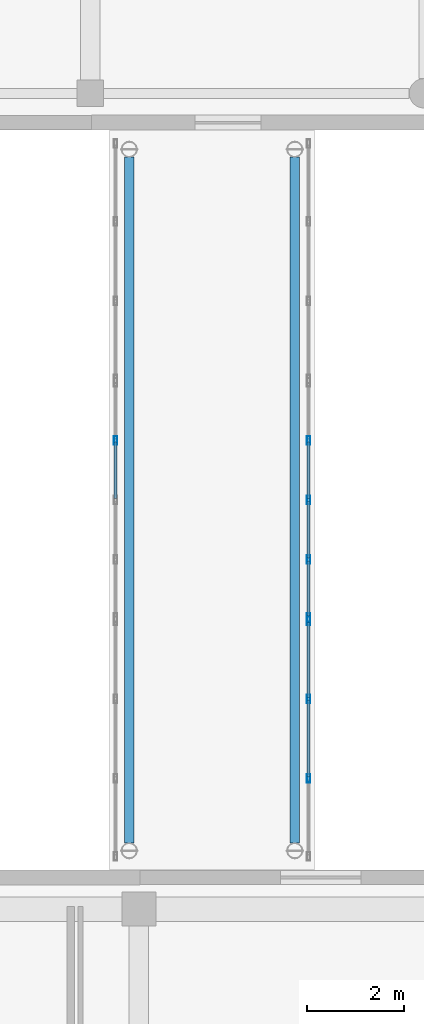
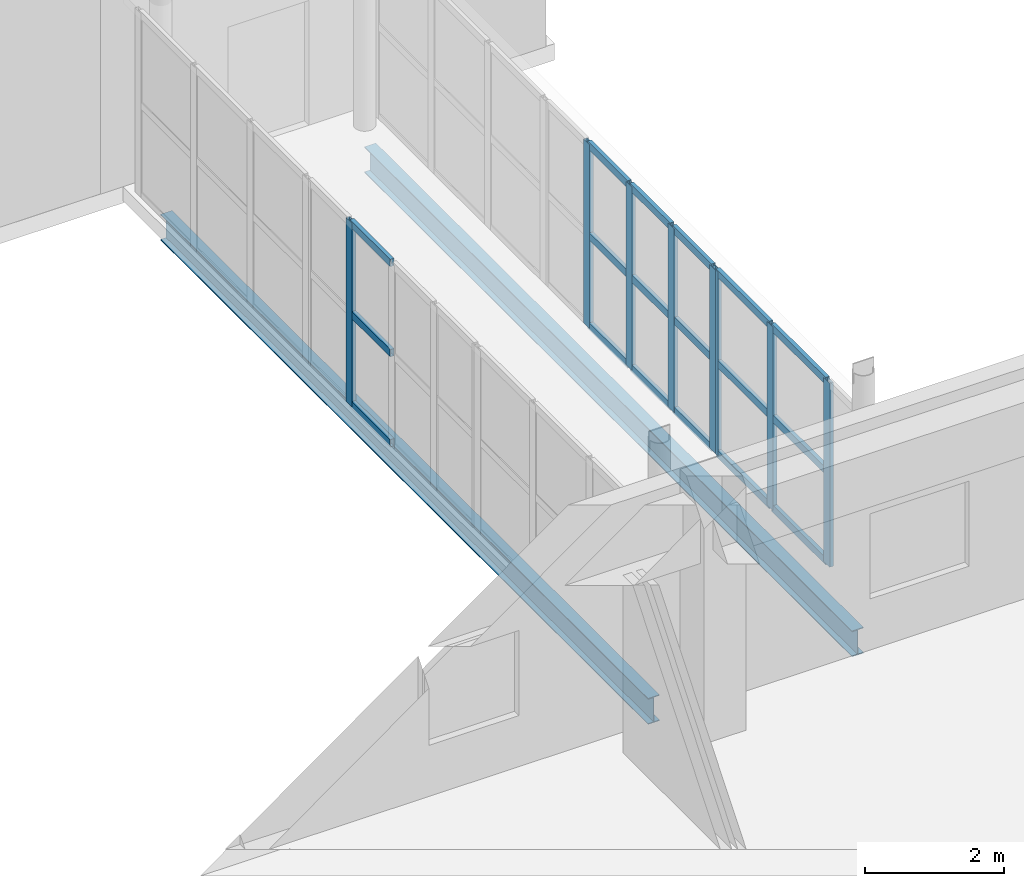
# One storey, part 21 of 142: 26 members, 2 beams, 3 elements without a shape of their own.
"""IFC4 building model written with IfcOpenShell, lengths in metres."""

from ifc_helpers import new_model, si_unit, direction, frame, origin, origin_2d, place, context, subcontext, project, spatial, hollow_rectangle, i_section, extrude, material, layer, layer_set, material_profile, profile_set, type_object, element, aggregate, save


model = new_model("IFC4")

# Units and contexts
model_context = context("Model", 3, precision=1e-05, world=origin(), true_north=direction((0.0, 1.0)))
body_context = subcontext(model_context, "Body", "Model", "MODEL_VIEW")
ifc_project = project(units=[si_unit("LENGTHUNIT", "METRE"), si_unit("AREAUNIT", "SQUARE_METRE"), si_unit("VOLUMEUNIT", "CUBIC_METRE"), si_unit("PLANEANGLEUNIT", "RADIAN"), si_unit("MASSUNIT", "GRAM", prefix="KILO")], contexts=[model_context])

# Site, building, storey
site_placement = place(None, origin())
site = spatial("IfcSite", under=ifc_project, at=site_placement, CompositionType="ELEMENT")
building_placement = place(site_placement, origin())
building = spatial("IfcBuilding", under=site, at=building_placement, Name="Valcora Specialist Clinic", CompositionType="ELEMENT")
storey_placement = place(building_placement, frame((0.0, 0.0, 5.10009765625)))
storey = spatial("IfcBuildingStorey", under=building, at=storey_placement, Name="L01", CompositionType="ELEMENT", Elevation=5.10009765625)

# Beams
ifc_material_1 = material(Name="Steel ASTM A992 Grade 50", Category="steel")
ifc_material_profile_1 = material_profile(ifc_material_1, i_section(OverallWidth=0.18994140625, OverallDepth=0.45703125, WebThickness=0.009033203125, FlangeThickness=0.014892578125, at=origin_2d()), Name="ST-IR-460X190")
ifc_profile_set_1 = profile_set([ifc_material_profile_1], Name="Steel ASTM A992 Grade 50")
beam_type = type_object("IfcBeamType", Name="TY-BG-IR460", PredefinedType="HOLLOWCORE", material=ifc_profile_set_1)
for number, where, z_axis, x_axis, name in (
    (1, (23.199951171875, 23.360107421875, -0.482666015625), (0.0, 1.0, 0.0), (-1.0, 0.0, 0.0), "Bridge girder BM-L01-1616"),
    (2, (26.60009765625, 23.360107421875, -0.482666015625), (0.0, 1.0, 0.0), (-1.0, 0.0, 0.0), "Bridge girder BM-L01-1617"),
):
    element("IfcBeam", number, at=place(storey_placement, frame(where, z_axis=z_axis, x_axis=x_axis)), inside=storey, type_object=beam_type, Name=name, PredefinedType="HOLLOWCORE", context=body_context, shape_type="SweptSolid", body=[
        extrude(i_section(OverallWidth=0.18994140625, OverallDepth=0.45703125, WebThickness=0.009033203125, FlangeThickness=0.014892578125, at=origin_2d()), origin(), (0.0, 0.0, 1.0), 14.079833984375),
    ])

# Curtain wall, member
ifc_material_2 = material(Name="Anodized Bronze Aluminium 6063-T6", Category="aluminium")
ifc_layer = layer(ifc_material_2, 0.175048828125)
ifc_layer_set = layer_set([ifc_layer], Name="Anodized Bronze Aluminium 6063-T6")
curtain_wall_type = type_object("IfcCurtainWallType", Name="TY-CW-BRG14", PredefinedType="NOTDEFINED", material=ifc_layer_set)
curtain_wall_1_placement = place(storey_placement, origin())
curtain_wall_1 = element("IfcCurtainWall", 3, at=curtain_wall_1_placement, inside=storey, type_object=curtain_wall_type, Name="Curtain wall CW-L01-226", PredefinedType="NOTDEFINED")
ifc_material_profile_2 = material_profile(ifc_material_2, hollow_rectangle(XDim=0.06494140625, YDim=0.175048828125, WallThickness=0.00390625, at=origin_2d()), Name="AL-MUL-65X175")
ifc_profile_set_2 = profile_set([ifc_material_profile_2], Name="Anodized Bronze Aluminium 6063-T6")
member_type_1 = type_object("IfcMemberType", Name="TY-CWM-65X175", PredefinedType="MULLION", material=ifc_profile_set_2)
member_1_placement = place(storey_placement, frame((22.919921875, 31.625, 0.0), z_axis=(0.0, 0.0, 1.0), x_axis=(-1.0, 0.0, 0.0)))
member_1 = element("IfcMember", 4, at=member_1_placement, type_object=member_type_1, Name="CW-BRG-14 mullion 4", PredefinedType="MULLION", context=body_context, shape_type="SweptSolid", body=[
    extrude(hollow_rectangle(XDim=0.06494140625, YDim=0.175048828125, WallThickness=0.00390625, at=origin_2d()), origin(), (0.0, 0.0, 1.0), 3.239990234375),
])

# Curtain wall, members
curtain_wall_2_placement = place(storey_placement, origin())
curtain_wall_2 = element("IfcCurtainWall", 5, at=curtain_wall_2_placement, inside=storey, type_object=curtain_wall_type, Name="Curtain wall CW-L01-228", PredefinedType="NOTDEFINED")
member_2_placement = place(storey_placement, frame((26.8798828125, 24.683349609375, 0.0), z_axis=(0.0, 0.0, 1.0), x_axis=(-1.0, 0.0, 0.0)))
member_2 = element("IfcMember", 6, at=member_2_placement, type_object=member_type_1, Name="CW-BRG-14 mullion 2", PredefinedType="MULLION", context=body_context, shape_type="SweptSolid", body=[
    extrude(hollow_rectangle(XDim=0.06494140625, YDim=0.175048828125, WallThickness=0.00390625, at=origin_2d()), origin(), (0.0, 0.0, 1.0), 3.239990234375),
])
member_3_placement = place(storey_placement, frame((26.8798828125, 26.316650390625, 0.0), z_axis=(0.0, 0.0, 1.0), x_axis=(-1.0, 0.0, 0.0)))
member_3 = element("IfcMember", 7, at=member_3_placement, type_object=member_type_1, Name="CW-BRG-14 mullion 3", PredefinedType="MULLION", context=body_context, shape_type="SweptSolid", body=[
    extrude(hollow_rectangle(XDim=0.06494140625, YDim=0.175048828125, WallThickness=0.00390625, at=origin_2d()), origin(), (0.0, 0.0, 1.0), 3.239990234375),
])
member_4_placement = place(storey_placement, frame((26.8798828125, 27.91748046875, 0.0), z_axis=(0.0, 0.0, 1.0), x_axis=(-1.0, 0.0, 0.0)))
member_4 = element("IfcMember", 8, at=member_4_placement, type_object=member_type_1, Name="CW-BRG-14 mullion 4", PredefinedType="MULLION", context=body_context, shape_type="SweptSolid", body=[
    extrude(hollow_rectangle(XDim=0.06494140625, YDim=0.175048828125, WallThickness=0.00390625, at=origin_2d()), origin(), (0.0, 0.0, 1.0), 3.239990234375),
])

curtain_wall_3_placement = place(storey_placement, origin())
curtain_wall_3 = element("IfcCurtainWall", 9, at=curtain_wall_3_placement, inside=storey, type_object=curtain_wall_type, Name="Curtain wall CW-L01-229", PredefinedType="NOTDEFINED")
member_5_placement = place(storey_placement, frame((26.8798828125, 27.982421875, 0.0), z_axis=(0.0, 0.0, 1.0), x_axis=(-1.0, 0.0, 0.0)))
member_5 = element("IfcMember", 10, at=member_5_placement, type_object=member_type_1, Name="CW-BRG-14 mullion 1", PredefinedType="MULLION", context=body_context, shape_type="SweptSolid", body=[
    extrude(hollow_rectangle(XDim=0.06494140625, YDim=0.175048828125, WallThickness=0.00390625, at=origin_2d()), origin(), (0.0, 0.0, 1.0), 3.239990234375),
])
member_6_placement = place(storey_placement, frame((26.8798828125, 29.175048828125, 0.0), z_axis=(0.0, 0.0, 1.0), x_axis=(-1.0, 0.0, 0.0)))
member_6 = element("IfcMember", 11, at=member_6_placement, type_object=member_type_1, Name="CW-BRG-14 mullion 2", PredefinedType="MULLION", context=body_context, shape_type="SweptSolid", body=[
    extrude(hollow_rectangle(XDim=0.06494140625, YDim=0.175048828125, WallThickness=0.00390625, at=origin_2d()), origin(), (0.0, 0.0, 1.0), 3.239990234375),
])
member_7_placement = place(storey_placement, frame((26.8798828125, 30.39990234375, 0.0), z_axis=(0.0, 0.0, 1.0), x_axis=(-1.0, 0.0, 0.0)))
member_7 = element("IfcMember", 12, at=member_7_placement, type_object=member_type_1, Name="CW-BRG-14 mullion 3", PredefinedType="MULLION", context=body_context, shape_type="SweptSolid", body=[
    extrude(hollow_rectangle(XDim=0.06494140625, YDim=0.175048828125, WallThickness=0.00390625, at=origin_2d()), origin(), (0.0, 0.0, 1.0), 3.239990234375),
])
member_8_placement = place(storey_placement, frame((26.8798828125, 31.625, 0.0), z_axis=(0.0, 0.0, 1.0), x_axis=(-1.0, 0.0, 0.0)))
member_8 = element("IfcMember", 13, at=member_8_placement, type_object=member_type_1, Name="CW-BRG-14 mullion 4", PredefinedType="MULLION", context=body_context, shape_type="SweptSolid", body=[
    extrude(hollow_rectangle(XDim=0.06494140625, YDim=0.175048828125, WallThickness=0.00390625, at=origin_2d()), origin(), (0.0, 0.0, 1.0), 3.239990234375),
])

# Member
ifc_material_profile_3 = material_profile(ifc_material_2, hollow_rectangle(XDim=0.06494140625, YDim=0.1298828125, WallThickness=0.00390625, at=origin_2d()), Name="AL-TRN-65X130")
ifc_profile_set_3 = profile_set([ifc_material_profile_3], Name="Anodized Bronze Aluminium 6063-T6")
member_type_2 = type_object("IfcMemberType", Name="TY-CWT-65X130", PredefinedType="USERDEFINED", material=ifc_profile_set_3)
member_9_placement = place(storey_placement, frame((22.919921875, 30.4326171875, 0.032470703125), z_axis=(0.0, 1.0, 0.0), x_axis=(-1.0, 0.0, 0.0)))
member_9 = element("IfcMember", 14, at=member_9_placement, type_object=member_type_2, Name="CW-BRG-14 transom 3.1", ObjectType="TRANSOM", PredefinedType="USERDEFINED", context=body_context, shape_type="SweptSolid", body=[
    extrude(hollow_rectangle(XDim=0.06494140625, YDim=0.1298828125, WallThickness=0.00390625, at=origin_2d()), origin(), (0.0, 0.0, 1.0), 1.159912109375),
])

member_10_placement = place(storey_placement, frame((22.919921875, 30.4326171875, 1.619873046875), z_axis=(0.0, 1.0, 0.0), x_axis=(-1.0, 0.0, 0.0)))
member_10 = element("IfcMember", 15, at=member_10_placement, type_object=member_type_2, Name="CW-BRG-14 transom 3.2", ObjectType="TRANSOM", PredefinedType="USERDEFINED", context=body_context, shape_type="SweptSolid", body=[
    extrude(hollow_rectangle(XDim=0.06494140625, YDim=0.1298828125, WallThickness=0.00390625, at=origin_2d()), origin(), (0.0, 0.0, 1.0), 1.159912109375),
])

member_11_placement = place(storey_placement, frame((22.919921875, 30.4326171875, 3.20751953125), z_axis=(0.0, 1.0, 0.0), x_axis=(-1.0, 0.0, 0.0)))
member_11 = element("IfcMember", 16, at=member_11_placement, type_object=member_type_2, Name="CW-BRG-14 transom 3.3", ObjectType="TRANSOM", PredefinedType="USERDEFINED", context=body_context, shape_type="SweptSolid", body=[
    extrude(hollow_rectangle(XDim=0.06494140625, YDim=0.1298828125, WallThickness=0.00390625, at=origin_2d()), origin(), (0.0, 0.0, 1.0), 1.159912109375),
])

aggregate(curtain_wall_1, [member_1, member_9, member_10, member_11])

member_12_placement = place(storey_placement, frame((26.8798828125, 24.7158203125, 0.032470703125), z_axis=(0.0, 1.0, 0.0), x_axis=(-1.0, 0.0, 0.0)))
member_12 = element("IfcMember", 17, at=member_12_placement, type_object=member_type_2, Name="CW-BRG-14 transom 2.1", ObjectType="TRANSOM", PredefinedType="USERDEFINED", context=body_context, shape_type="SweptSolid", body=[
    extrude(hollow_rectangle(XDim=0.06494140625, YDim=0.1298828125, WallThickness=0.00390625, at=origin_2d()), origin(), (0.0, 0.0, 1.0), 1.568359375),
])

member_13_placement = place(storey_placement, frame((26.8798828125, 24.7158203125, 1.619873046875), z_axis=(0.0, 1.0, 0.0), x_axis=(-1.0, 0.0, 0.0)))
member_13 = element("IfcMember", 18, at=member_13_placement, type_object=member_type_2, Name="CW-BRG-14 transom 2.2", ObjectType="TRANSOM", PredefinedType="USERDEFINED", context=body_context, shape_type="SweptSolid", body=[
    extrude(hollow_rectangle(XDim=0.06494140625, YDim=0.1298828125, WallThickness=0.00390625, at=origin_2d()), origin(), (0.0, 0.0, 1.0), 1.568359375),
])

member_14_placement = place(storey_placement, frame((26.8798828125, 24.7158203125, 3.20751953125), z_axis=(0.0, 1.0, 0.0), x_axis=(-1.0, 0.0, 0.0)))
member_14 = element("IfcMember", 19, at=member_14_placement, type_object=member_type_2, Name="CW-BRG-14 transom 2.3", ObjectType="TRANSOM", PredefinedType="USERDEFINED", context=body_context, shape_type="SweptSolid", body=[
    extrude(hollow_rectangle(XDim=0.06494140625, YDim=0.1298828125, WallThickness=0.00390625, at=origin_2d()), origin(), (0.0, 0.0, 1.0), 1.568359375),
])

member_15_placement = place(storey_placement, frame((26.8798828125, 26.34912109375, 0.032470703125), z_axis=(0.0, 1.0, 0.0), x_axis=(-1.0, 0.0, 0.0)))
member_15 = element("IfcMember", 20, at=member_15_placement, type_object=member_type_2, Name="CW-BRG-14 transom 3.1", ObjectType="TRANSOM", PredefinedType="USERDEFINED", context=body_context, shape_type="SweptSolid", body=[
    extrude(hollow_rectangle(XDim=0.06494140625, YDim=0.1298828125, WallThickness=0.00390625, at=origin_2d()), origin(), (0.0, 0.0, 1.0), 1.535888671875),
])

member_16_placement = place(storey_placement, frame((26.8798828125, 26.34912109375, 1.619873046875), z_axis=(0.0, 1.0, 0.0), x_axis=(-1.0, 0.0, 0.0)))
member_16 = element("IfcMember", 21, at=member_16_placement, type_object=member_type_2, Name="CW-BRG-14 transom 3.2", ObjectType="TRANSOM", PredefinedType="USERDEFINED", context=body_context, shape_type="SweptSolid", body=[
    extrude(hollow_rectangle(XDim=0.06494140625, YDim=0.1298828125, WallThickness=0.00390625, at=origin_2d()), origin(), (0.0, 0.0, 1.0), 1.535888671875),
])

member_17_placement = place(storey_placement, frame((26.8798828125, 26.34912109375, 3.20751953125), z_axis=(0.0, 1.0, 0.0), x_axis=(-1.0, 0.0, 0.0)))
member_17 = element("IfcMember", 22, at=member_17_placement, type_object=member_type_2, Name="CW-BRG-14 transom 3.3", ObjectType="TRANSOM", PredefinedType="USERDEFINED", context=body_context, shape_type="SweptSolid", body=[
    extrude(hollow_rectangle(XDim=0.06494140625, YDim=0.1298828125, WallThickness=0.00390625, at=origin_2d()), origin(), (0.0, 0.0, 1.0), 1.535888671875),
])

aggregate(curtain_wall_2, [member_2, member_3, member_4, member_12, member_13, member_14, member_15, member_16, member_17])

member_18_placement = place(storey_placement, frame((26.8798828125, 28.014892578125, 0.032470703125), z_axis=(0.0, 1.0, 0.0), x_axis=(-1.0, 0.0, 0.0)))
member_18 = element("IfcMember", 23, at=member_18_placement, type_object=member_type_2, Name="CW-BRG-14 transom 1.1", ObjectType="TRANSOM", PredefinedType="USERDEFINED", context=body_context, shape_type="SweptSolid", body=[
    extrude(hollow_rectangle(XDim=0.06494140625, YDim=0.1298828125, WallThickness=0.00390625, at=origin_2d()), origin(), (0.0, 0.0, 1.0), 1.127685546875),
])

member_19_placement = place(storey_placement, frame((26.8798828125, 28.014892578125, 1.619873046875), z_axis=(0.0, 1.0, 0.0), x_axis=(-1.0, 0.0, 0.0)))
member_19 = element("IfcMember", 24, at=member_19_placement, type_object=member_type_2, Name="CW-BRG-14 transom 1.2", ObjectType="TRANSOM", PredefinedType="USERDEFINED", context=body_context, shape_type="SweptSolid", body=[
    extrude(hollow_rectangle(XDim=0.06494140625, YDim=0.1298828125, WallThickness=0.00390625, at=origin_2d()), origin(), (0.0, 0.0, 1.0), 1.127685546875),
])

member_20_placement = place(storey_placement, frame((26.8798828125, 28.014892578125, 3.20751953125), z_axis=(0.0, 1.0, 0.0), x_axis=(-1.0, 0.0, 0.0)))
member_20 = element("IfcMember", 25, at=member_20_placement, type_object=member_type_2, Name="CW-BRG-14 transom 1.3", ObjectType="TRANSOM", PredefinedType="USERDEFINED", context=body_context, shape_type="SweptSolid", body=[
    extrude(hollow_rectangle(XDim=0.06494140625, YDim=0.1298828125, WallThickness=0.00390625, at=origin_2d()), origin(), (0.0, 0.0, 1.0), 1.127685546875),
])

member_21_placement = place(storey_placement, frame((26.8798828125, 29.20751953125, 0.032470703125), z_axis=(0.0, 1.0, 0.0), x_axis=(-1.0, 0.0, 0.0)))
member_21 = element("IfcMember", 26, at=member_21_placement, type_object=member_type_2, Name="CW-BRG-14 transom 2.1", ObjectType="TRANSOM", PredefinedType="USERDEFINED", context=body_context, shape_type="SweptSolid", body=[
    extrude(hollow_rectangle(XDim=0.06494140625, YDim=0.1298828125, WallThickness=0.00390625, at=origin_2d()), origin(), (0.0, 0.0, 1.0), 1.159912109375),
])

member_22_placement = place(storey_placement, frame((26.8798828125, 29.20751953125, 1.619873046875), z_axis=(0.0, 1.0, 0.0), x_axis=(-1.0, 0.0, 0.0)))
member_22 = element("IfcMember", 27, at=member_22_placement, type_object=member_type_2, Name="CW-BRG-14 transom 2.2", ObjectType="TRANSOM", PredefinedType="USERDEFINED", context=body_context, shape_type="SweptSolid", body=[
    extrude(hollow_rectangle(XDim=0.06494140625, YDim=0.1298828125, WallThickness=0.00390625, at=origin_2d()), origin(), (0.0, 0.0, 1.0), 1.159912109375),
])

member_23_placement = place(storey_placement, frame((26.8798828125, 29.20751953125, 3.20751953125), z_axis=(0.0, 1.0, 0.0), x_axis=(-1.0, 0.0, 0.0)))
member_23 = element("IfcMember", 28, at=member_23_placement, type_object=member_type_2, Name="CW-BRG-14 transom 2.3", ObjectType="TRANSOM", PredefinedType="USERDEFINED", context=body_context, shape_type="SweptSolid", body=[
    extrude(hollow_rectangle(XDim=0.06494140625, YDim=0.1298828125, WallThickness=0.00390625, at=origin_2d()), origin(), (0.0, 0.0, 1.0), 1.159912109375),
])

member_24_placement = place(storey_placement, frame((26.8798828125, 30.4326171875, 0.032470703125), z_axis=(0.0, 1.0, 0.0), x_axis=(-1.0, 0.0, 0.0)))
member_24 = element("IfcMember", 29, at=member_24_placement, type_object=member_type_2, Name="CW-BRG-14 transom 3.1", ObjectType="TRANSOM", PredefinedType="USERDEFINED", context=body_context, shape_type="SweptSolid", body=[
    extrude(hollow_rectangle(XDim=0.06494140625, YDim=0.1298828125, WallThickness=0.00390625, at=origin_2d()), origin(), (0.0, 0.0, 1.0), 1.159912109375),
])

member_25_placement = place(storey_placement, frame((26.8798828125, 30.4326171875, 1.619873046875), z_axis=(0.0, 1.0, 0.0), x_axis=(-1.0, 0.0, 0.0)))
member_25 = element("IfcMember", 30, at=member_25_placement, type_object=member_type_2, Name="CW-BRG-14 transom 3.2", ObjectType="TRANSOM", PredefinedType="USERDEFINED", context=body_context, shape_type="SweptSolid", body=[
    extrude(hollow_rectangle(XDim=0.06494140625, YDim=0.1298828125, WallThickness=0.00390625, at=origin_2d()), origin(), (0.0, 0.0, 1.0), 1.159912109375),
])

member_26_placement = place(storey_placement, frame((26.8798828125, 30.4326171875, 3.20751953125), z_axis=(0.0, 1.0, 0.0), x_axis=(-1.0, 0.0, 0.0)))
member_26 = element("IfcMember", 31, at=member_26_placement, type_object=member_type_2, Name="CW-BRG-14 transom 3.3", ObjectType="TRANSOM", PredefinedType="USERDEFINED", context=body_context, shape_type="SweptSolid", body=[
    extrude(hollow_rectangle(XDim=0.06494140625, YDim=0.1298828125, WallThickness=0.00390625, at=origin_2d()), origin(), (0.0, 0.0, 1.0), 1.159912109375),
])

aggregate(curtain_wall_3, [member_5, member_6, member_7, member_8, member_18, member_19, member_20, member_21, member_22, member_23, member_24, member_25, member_26])

save(model, "model.ifc")
